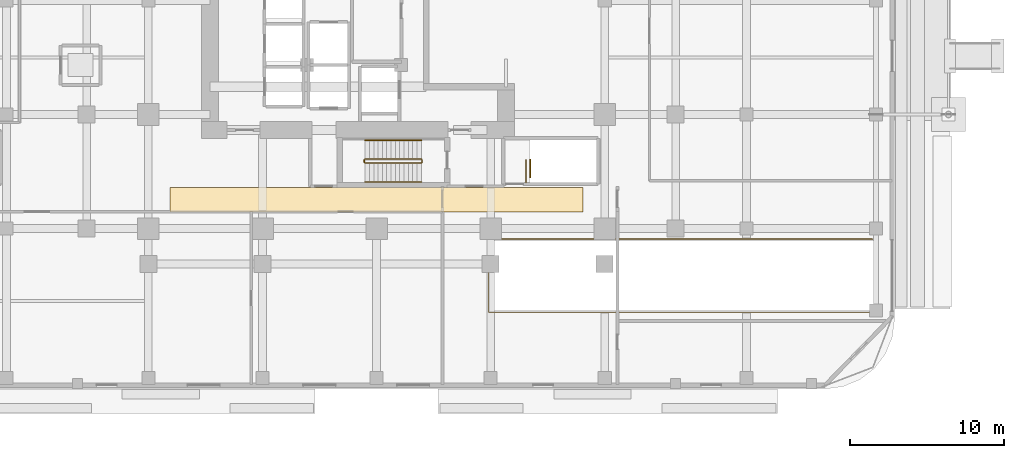
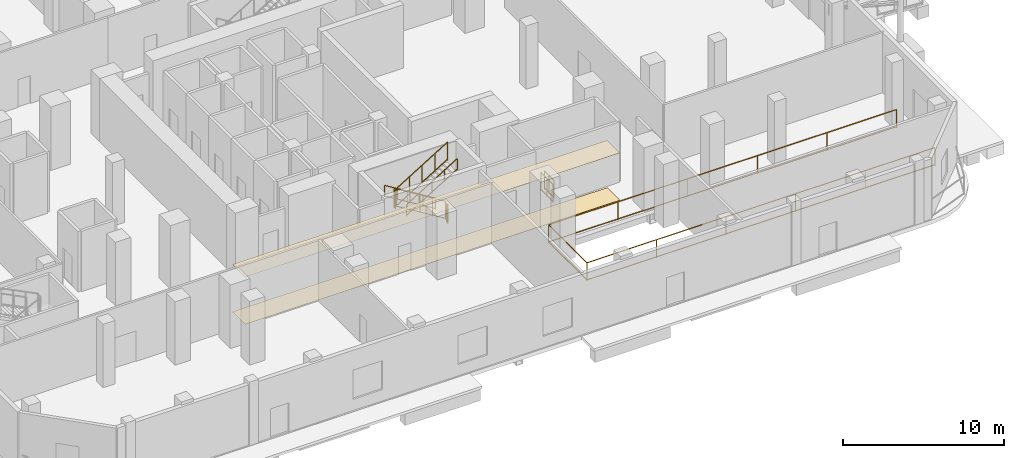
# One storey, part 20 of 24: 9 railings, 2 coverings.
"""IFC4 building model written with IfcOpenShell, lengths in metres."""

from ifc_helpers import new_model, si_unit, direction, frame, origin, origin_2d, place, context, subcontext, project, spatial, polyline, rectangle, outline, extrude, material, layer, layer_set, type_object, element, save


model = new_model("IFC4")

# Units and contexts
model_context = context("Model", 3, precision=1e-05, world=origin(), true_north=direction((0.0, 1.0)))
body_context = subcontext(model_context, "Body", "Model", "MODEL_VIEW")
ifc_project = project(units=[si_unit("LENGTHUNIT", "METRE"), si_unit("AREAUNIT", "SQUARE_METRE"), si_unit("VOLUMEUNIT", "CUBIC_METRE"), si_unit("PLANEANGLEUNIT", "RADIAN"), si_unit("MASSUNIT", "GRAM", prefix="KILO")], contexts=[model_context])

# Site, building, storey
site_placement = place(None, origin())
site = spatial("IfcSite", under=ifc_project, at=site_placement, CompositionType="ELEMENT")
building_placement = place(site_placement, origin())
building = spatial("IfcBuilding", under=site, at=building_placement, Name="Khorvyn Point Tower", CompositionType="ELEMENT")
storey_placement = place(building_placement, origin())
storey = spatial("IfcBuildingStorey", under=building, at=storey_placement, Name="L01", CompositionType="ELEMENT", Elevation=0.0)

# Coverings
ifc_material_1 = material(Name="Mineral-fibre acoustic ceiling board", Category="gypsum")
ifc_layer_1 = layer(ifc_material_1, 0.02001953125)
ifc_layer_set_1 = layer_set([ifc_layer_1], Name="Perforated Mineral-Fibre Acoustic Suspended Ceiling 20")
covering_type_1 = type_object("IfcCoveringType", Name="Perforated Mineral-Fibre Acoustic Suspended Ceiling 20", PredefinedType="CEILING", material=ifc_layer_set_1)
covering_1_placement = place(storey_placement, frame((0.0, 0.0, 3.580078125)))
element("IfcCovering", 1, at=covering_1_placement, inside=storey, type_object=covering_type_1, Name="L01 South Corridor Acoustic Ceiling", PredefinedType="CEILING", context=body_context, shape_type="SweptSolid", body=[
    extrude(outline(polyline([(-13.39990234375, -13.7099609375), (13.39990234375, -13.7099609375), (13.39990234375, -12.139892578125), (-13.39990234375, -12.139892578125), (-13.39990234375, -13.7099609375)])), origin(), (0.0, 0.0, 1.0), 0.02001953125),
])
ifc_material_2 = material(Name="Vitrified porcelain terrazzo tile", Category="ceramic")
ifc_layer_2 = layer(ifc_material_2, 0.01806640625)
ifc_layer_set_2 = layer_set([ifc_layer_2], Name="Porcelain Terrazzo Corridor Floor Finish Tile 18")
covering_type_2 = type_object("IfcCoveringType", Name="Porcelain Terrazzo Corridor Floor Finish Tile 18", PredefinedType="FLOORING", material=ifc_layer_set_2)
covering_2_placement = place(storey_placement, origin())
element("IfcCovering", 2, at=covering_2_placement, inside=storey, type_object=covering_type_2, Name="L01 South Corridor Terrazzo Flooring", PredefinedType="FLOORING", context=body_context, shape_type="SweptSolid", body=[
    extrude(outline(polyline([(-13.39990234375, -13.7099609375), (13.39990234375, -13.7099609375), (13.39990234375, -12.139892578125), (-13.39990234375, -12.139892578125), (-13.39990234375, -13.7099609375)])), origin(), (0.0, 0.0, 1.0), 0.01806640625),
])

# Railings
ifc_material_3 = material(Name="Stainless steel 1.4301", Category="steel")
railing_type_1 = type_object("IfcRailingType", Name="Stainless Steel 304 Stair Pitch Handrail 900", PredefinedType="HANDRAIL", material=ifc_material_3)
railing_1_placement = place(storey_placement, frame((2.89990234375, -9.070068359375, 0.17138671875)))
element("IfcRailing", 3, at=railing_1_placement, inside=storey, type_object=railing_type_1, Name="L01 ST-01 stair handrail 1", PredefinedType="HANDRAIL", context=body_context, shape_type="SweptSolid", body=[
    extrude(rectangle(XDim=0.048095703125, YDim=0.048095703125, at=origin_2d()), frame((0.0, 0.0, 0.8759765625), z_axis=(-0.852850264322, 0.0, 0.5221555579), x_axis=(0.0, -1.0, 0.0)), (0.0, 0.0, 1.0), 4.267822265625),
    extrude(rectangle(XDim=0.048095703125, YDim=0.048095703125, at=origin_2d()), frame((0.0, 0.0, 0.080078125), z_axis=(-0.852850264322, 0.0, 0.5221555579), x_axis=(0.0, -1.0, 0.0)), (0.0, 0.0, 1.0), 4.267822265625),
    extrude(rectangle(XDim=0.0419921875, YDim=0.0419921875, at=origin_2d()), origin(), (0.0, 0.0, 1.0), 0.851806640625),
    extrude(rectangle(XDim=0.0419921875, YDim=0.0419921875, at=origin_2d()), frame((-0.909912109375, 0.0, 0.55712890625)), (0.0, 0.0, 1.0), 0.851806640625),
    extrude(rectangle(XDim=0.0419921875, YDim=0.0419921875, at=origin_2d()), frame((-1.81982421875, 0.0, 1.1142578125)), (0.0, 0.0, 1.0), 0.851806640625),
    extrude(rectangle(XDim=0.0419921875, YDim=0.0419921875, at=origin_2d()), frame((-2.72998046875, 0.0, 1.67138671875)), (0.0, 0.0, 1.0), 0.851806640625),
    extrude(rectangle(XDim=0.0419921875, YDim=0.0419921875, at=origin_2d()), frame((-3.639892578125, 0.0, 2.228515625)), (0.0, 0.0, 1.0), 0.851806640625),
])
railing_2_placement = place(storey_placement, frame((-0.739990234375, -11.77001953125, 2.571533203125)))
element("IfcRailing", 4, at=railing_2_placement, inside=storey, type_object=railing_type_1, Name="L01 ST-01 stair handrail 2", PredefinedType="HANDRAIL", context=body_context, shape_type="SweptSolid", body=[
    extrude(rectangle(XDim=0.048095703125, YDim=0.048095703125, at=origin_2d()), frame((0.0, 0.0, 0.8759765625), z_axis=(0.852850264322, 0.0, 0.5221555579), x_axis=(0.0, 1.0, 0.0)), (0.0, 0.0, 1.0), 4.267822265625),
    extrude(rectangle(XDim=0.048095703125, YDim=0.048095703125, at=origin_2d()), frame((0.0, 0.0, 0.080078125), z_axis=(0.852850264322, 0.0, 0.5221555579), x_axis=(0.0, 1.0, 0.0)), (0.0, 0.0, 1.0), 4.267822265625),
    extrude(rectangle(XDim=0.0419921875, YDim=0.0419921875, at=origin_2d()), origin(), (0.0, 0.0, 1.0), 0.851806640625),
    extrude(rectangle(XDim=0.0419921875, YDim=0.0419921875, at=origin_2d()), frame((0.909912109375, 0.0, 0.55712890625)), (0.0, 0.0, 1.0), 0.851806640625),
    extrude(rectangle(XDim=0.0419921875, YDim=0.0419921875, at=origin_2d()), frame((1.81982421875, 0.0, 1.1142578125)), (0.0, 0.0, 1.0), 0.851806640625),
    extrude(rectangle(XDim=0.0419921875, YDim=0.0419921875, at=origin_2d()), frame((2.72998046875, 0.0, 1.67138671875)), (0.0, 0.0, 1.0), 0.851806640625),
    extrude(rectangle(XDim=0.0419921875, YDim=0.0419921875, at=origin_2d()), frame((3.639892578125, 0.0, 2.228515625)), (0.0, 0.0, 1.0), 0.851806640625),
])
railing_type_2 = type_object("IfcRailingType", Name="Stainless Steel 304 Stair Well Guardrail 1400", PredefinedType="GUARDRAIL", material=ifc_material_3)
railing_3_placement = place(storey_placement, frame((2.89990234375, -10.2900390625, 0.17138671875)))
element("IfcRailing", 5, at=railing_3_placement, inside=storey, type_object=railing_type_2, Name="L01 ST-01 stair guard 1", PredefinedType="GUARDRAIL", context=body_context, shape_type="SweptSolid", body=[
    extrude(rectangle(XDim=0.048095703125, YDim=0.048095703125, at=origin_2d()), frame((0.0, 0.0, 1.3759765625), z_axis=(-0.852850264322, 0.0, 0.5221555579), x_axis=(0.0, -1.0, 0.0)), (0.0, 0.0, 1.0), 4.267822265625),
    extrude(rectangle(XDim=0.048095703125, YDim=0.048095703125, at=origin_2d()), frame((0.0, 0.0, 0.080078125), z_axis=(-0.852850264322, 0.0, 0.5221555579), x_axis=(0.0, -1.0, 0.0)), (0.0, 0.0, 1.0), 4.267822265625),
    extrude(rectangle(XDim=0.0419921875, YDim=0.0419921875, at=origin_2d()), origin(), (0.0, 0.0, 1.0), 1.351806640625),
    extrude(rectangle(XDim=0.0419921875, YDim=0.0419921875, at=origin_2d()), frame((-0.909912109375, 0.0, 0.55712890625)), (0.0, 0.0, 1.0), 1.351806640625),
    extrude(rectangle(XDim=0.0419921875, YDim=0.0419921875, at=origin_2d()), frame((-1.81982421875, 0.0, 1.1142578125)), (0.0, 0.0, 1.0), 1.351806640625),
    extrude(rectangle(XDim=0.0419921875, YDim=0.0419921875, at=origin_2d()), frame((-2.72998046875, 0.0, 1.67138671875)), (0.0, 0.0, 1.0), 1.351806640625),
    extrude(rectangle(XDim=0.0419921875, YDim=0.0419921875, at=origin_2d()), frame((-3.639892578125, 0.0, 2.228515625)), (0.0, 0.0, 1.0), 1.351806640625),
])
railing_4_placement = place(storey_placement, frame((-0.7900390625, -10.340087890625, 2.39990234375)))
element("IfcRailing", 6, at=railing_4_placement, inside=storey, type_object=railing_type_2, Name="L01 ST-01 stair guard 2", PredefinedType="GUARDRAIL", context=body_context, shape_type="SweptSolid", body=[
    extrude(rectangle(XDim=0.048095703125, YDim=0.048095703125, at=origin_2d()), frame((0.0, 0.0, 1.3759765625), z_axis=(0.0, -1.0, 0.0), x_axis=(1.0, 0.0, 0.0)), (0.0, 0.0, 1.0), 0.159912109375),
    extrude(rectangle(XDim=0.048095703125, YDim=0.048095703125, at=origin_2d()), frame((0.0, 0.0, 0.080078125), z_axis=(0.0, -1.0, 0.0), x_axis=(1.0, 0.0, 0.0)), (0.0, 0.0, 1.0), 0.159912109375),
    extrude(rectangle(XDim=0.0419921875, YDim=0.0419921875, at=origin_2d()), origin(), (0.0, 0.0, 1.0), 1.351806640625),
    extrude(rectangle(XDim=0.0419921875, YDim=0.0419921875, at=origin_2d()), frame((0.0, -0.159912109375, 0.0)), (0.0, 0.0, 1.0), 1.351806640625),
])
railing_5_placement = place(storey_placement, frame((-0.739990234375, -10.550048828125, 2.571533203125)))
element("IfcRailing", 7, at=railing_5_placement, inside=storey, type_object=railing_type_2, Name="L01 ST-01 stair guard 3", PredefinedType="GUARDRAIL", context=body_context, shape_type="SweptSolid", body=[
    extrude(rectangle(XDim=0.048095703125, YDim=0.048095703125, at=origin_2d()), frame((0.0, 0.0, 1.3759765625), z_axis=(0.852850264322, 0.0, 0.5221555579), x_axis=(0.0, 1.0, 0.0)), (0.0, 0.0, 1.0), 4.267822265625),
    extrude(rectangle(XDim=0.048095703125, YDim=0.048095703125, at=origin_2d()), frame((0.0, 0.0, 0.080078125), z_axis=(0.852850264322, 0.0, 0.5221555579), x_axis=(0.0, 1.0, 0.0)), (0.0, 0.0, 1.0), 4.267822265625),
    extrude(rectangle(XDim=0.0419921875, YDim=0.0419921875, at=origin_2d()), origin(), (0.0, 0.0, 1.0), 1.351806640625),
    extrude(rectangle(XDim=0.0419921875, YDim=0.0419921875, at=origin_2d()), frame((0.909912109375, 0.0, 0.55712890625)), (0.0, 0.0, 1.0), 1.351806640625),
    extrude(rectangle(XDim=0.0419921875, YDim=0.0419921875, at=origin_2d()), frame((1.81982421875, 0.0, 1.1142578125)), (0.0, 0.0, 1.0), 1.351806640625),
    extrude(rectangle(XDim=0.0419921875, YDim=0.0419921875, at=origin_2d()), frame((2.72998046875, 0.0, 1.67138671875)), (0.0, 0.0, 1.0), 1.351806640625),
    extrude(rectangle(XDim=0.0419921875, YDim=0.0419921875, at=origin_2d()), frame((3.639892578125, 0.0, 2.228515625)), (0.0, 0.0, 1.0), 1.351806640625),
])
railing_6_placement = place(storey_placement, frame((2.949951171875, -10.340087890625, 0.0)))
element("IfcRailing", 8, at=railing_6_placement, inside=storey, type_object=railing_type_2, Name="L01 ST-01 stair guard 4", PredefinedType="GUARDRAIL", context=body_context, shape_type="SweptSolid", body=[
    extrude(rectangle(XDim=0.048095703125, YDim=0.048095703125, at=origin_2d()), frame((0.0, 0.0, 1.3759765625), z_axis=(0.0, -1.0, 0.0), x_axis=(1.0, 0.0, 0.0)), (0.0, 0.0, 1.0), 0.159912109375),
    extrude(rectangle(XDim=0.048095703125, YDim=0.048095703125, at=origin_2d()), frame((0.0, 0.0, 0.080078125), z_axis=(0.0, -1.0, 0.0), x_axis=(1.0, 0.0, 0.0)), (0.0, 0.0, 1.0), 0.159912109375),
    extrude(rectangle(XDim=0.0419921875, YDim=0.0419921875, at=origin_2d()), origin(), (0.0, 0.0, 1.0), 1.351806640625),
    extrude(rectangle(XDim=0.0419921875, YDim=0.0419921875, at=origin_2d()), frame((0.0, -0.159912109375, 0.0)), (0.0, 0.0, 1.0), 1.351806640625),
])
railing_7_placement = place(storey_placement, frame((9.699951171875, -11.820068359375, 0.0)))
element("IfcRailing", 9, at=railing_7_placement, inside=storey, type_object=railing_type_2, Name="L01 ST-B1 top well guard 1", PredefinedType="GUARDRAIL", context=body_context, shape_type="SweptSolid", body=[
    extrude(rectangle(XDim=0.048095703125, YDim=0.048095703125, at=origin_2d()), frame((0.0, 0.0, 1.3759765625), z_axis=(0.0, 1.0, 0.0), x_axis=(-1.0, 0.0, 0.0)), (0.0, 0.0, 1.0), 1.47998046875),
    extrude(rectangle(XDim=0.048095703125, YDim=0.048095703125, at=origin_2d()), frame((0.0, 0.0, 0.080078125), z_axis=(0.0, 1.0, 0.0), x_axis=(-1.0, 0.0, 0.0)), (0.0, 0.0, 1.0), 1.47998046875),
    extrude(rectangle(XDim=0.0419921875, YDim=0.0419921875, at=origin_2d()), origin(), (0.0, 0.0, 1.0), 1.351806640625),
    extrude(rectangle(XDim=0.0419921875, YDim=0.0419921875, at=origin_2d()), frame((0.0, 0.739990234375, 0.0)), (0.0, 0.0, 1.0), 1.351806640625),
    extrude(rectangle(XDim=0.0419921875, YDim=0.0419921875, at=origin_2d()), frame((0.0, 1.47998046875, 0.0)), (0.0, 0.0, 1.0), 1.351806640625),
])
railing_8_placement = place(storey_placement, frame((9.969970703125, -11.469970703125, 0.0)))
element("IfcRailing", 10, at=railing_8_placement, inside=storey, type_object=railing_type_2, Name="L01 ST-B1 Top-Well Lip Guardrail", PredefinedType="GUARDRAIL", context=body_context, shape_type="SweptSolid", body=[
    extrude(rectangle(XDim=0.048095703125, YDim=0.048095703125, at=origin_2d()), frame((0.0, 0.0, 1.3759765625), z_axis=(0.0, 1.0, 0.0), x_axis=(-1.0, 0.0, 0.0)), (0.0, 0.0, 1.0), 1.14990234375),
    extrude(rectangle(XDim=0.048095703125, YDim=0.048095703125, at=origin_2d()), frame((0.0, 0.0, 0.080078125), z_axis=(0.0, 1.0, 0.0), x_axis=(-1.0, 0.0, 0.0)), (0.0, 0.0, 1.0), 1.14990234375),
    extrude(rectangle(XDim=0.0419921875, YDim=0.0419921875, at=origin_2d()), origin(), (0.0, 0.0, 1.0), 1.351806640625),
    extrude(rectangle(XDim=0.0419921875, YDim=0.0419921875, at=origin_2d()), frame((0.0, 0.574951171875, 0.0)), (0.0, 0.0, 1.0), 1.351806640625),
    extrude(rectangle(XDim=0.0419921875, YDim=0.0419921875, at=origin_2d()), frame((0.0, 1.14990234375, 0.0)), (0.0, 0.0, 1.0), 1.351806640625),
])
railing_9_placement = place(storey_placement, frame((32.169921875, -20.219970703125, 0.0)))
element("IfcRailing", 11, at=railing_9_placement, inside=storey, type_object=railing_type_2, Name="L01 Vehicle Ramp Well Guardrail", PredefinedType="GUARDRAIL", context=body_context, shape_type="SweptSolid", body=[
    extrude(rectangle(XDim=0.048095703125, YDim=0.048095703125, at=origin_2d()), frame((0.0, 0.0, 1.3759765625), z_axis=(-1.0, 0.0, 0.0), x_axis=(0.0, -1.0, 0.0)), (0.0, 0.0, 1.0), 24.889892578125),
    extrude(rectangle(XDim=0.048095703125, YDim=0.048095703125, at=origin_2d()), frame((0.0, 0.0, 0.080078125), z_axis=(-1.0, 0.0, 0.0), x_axis=(0.0, -1.0, 0.0)), (0.0, 0.0, 1.0), 24.889892578125),
    extrude(rectangle(XDim=0.048095703125, YDim=0.048095703125, at=origin_2d()), frame((-24.889892578125, 0.0, 1.3759765625), z_axis=(0.0, 1.0, 0.0), x_axis=(-1.0, 0.0, 0.0)), (0.0, 0.0, 1.0), 4.739990234375),
    extrude(rectangle(XDim=0.048095703125, YDim=0.048095703125, at=origin_2d()), frame((-24.889892578125, 0.0, 0.080078125), z_axis=(0.0, 1.0, 0.0), x_axis=(-1.0, 0.0, 0.0)), (0.0, 0.0, 1.0), 4.739990234375),
    extrude(rectangle(XDim=0.048095703125, YDim=0.048095703125, at=origin_2d()), frame((-24.889892578125, 4.739990234375, 1.3759765625), z_axis=(1.0, 0.0, 0.0), x_axis=(0.0, 1.0, 0.0)), (0.0, 0.0, 1.0), 24.889892578125),
    extrude(rectangle(XDim=0.048095703125, YDim=0.048095703125, at=origin_2d()), frame((-24.889892578125, 4.739990234375, 0.080078125), z_axis=(1.0, 0.0, 0.0), x_axis=(0.0, 1.0, 0.0)), (0.0, 0.0, 1.0), 24.889892578125),
    extrude(rectangle(XDim=0.0419921875, YDim=0.0419921875, at=origin_2d()), origin(), (0.0, 0.0, 1.0), 1.351806640625),
    extrude(rectangle(XDim=0.0419921875, YDim=0.0419921875, at=origin_2d()), frame((-4.97802734375, 0.0, 0.0)), (0.0, 0.0, 1.0), 1.351806640625),
    extrude(rectangle(XDim=0.0419921875, YDim=0.0419921875, at=origin_2d()), frame((-9.9560546875, 0.0, 0.0)), (0.0, 0.0, 1.0), 1.351806640625),
    extrude(rectangle(XDim=0.0419921875, YDim=0.0419921875, at=origin_2d()), frame((-14.933837890625, 0.0, 0.0)), (0.0, 0.0, 1.0), 1.351806640625),
    extrude(rectangle(XDim=0.0419921875, YDim=0.0419921875, at=origin_2d()), frame((-19.911865234375, 0.0, 0.0)), (0.0, 0.0, 1.0), 1.351806640625),
    extrude(rectangle(XDim=0.0419921875, YDim=0.0419921875, at=origin_2d()), frame((-24.889892578125, 0.0, 0.0)), (0.0, 0.0, 1.0), 1.351806640625),
    extrude(rectangle(XDim=0.0419921875, YDim=0.0419921875, at=origin_2d()), frame((-24.889892578125, 4.739990234375, 0.0)), (0.0, 0.0, 1.0), 1.351806640625),
    extrude(rectangle(XDim=0.0419921875, YDim=0.0419921875, at=origin_2d()), frame((-19.911865234375, 4.739990234375, 0.0)), (0.0, 0.0, 1.0), 1.351806640625),
    extrude(rectangle(XDim=0.0419921875, YDim=0.0419921875, at=origin_2d()), frame((-14.933837890625, 4.739990234375, 0.0)), (0.0, 0.0, 1.0), 1.351806640625),
    extrude(rectangle(XDim=0.0419921875, YDim=0.0419921875, at=origin_2d()), frame((-9.9560546875, 4.739990234375, 0.0)), (0.0, 0.0, 1.0), 1.351806640625),
    extrude(rectangle(XDim=0.0419921875, YDim=0.0419921875, at=origin_2d()), frame((-4.97802734375, 4.739990234375, 0.0)), (0.0, 0.0, 1.0), 1.351806640625),
    extrude(rectangle(XDim=0.0419921875, YDim=0.0419921875, at=origin_2d()), frame((0.0, 4.739990234375, 0.0)), (0.0, 0.0, 1.0), 1.351806640625),
])

save(model, "model.ifc")
